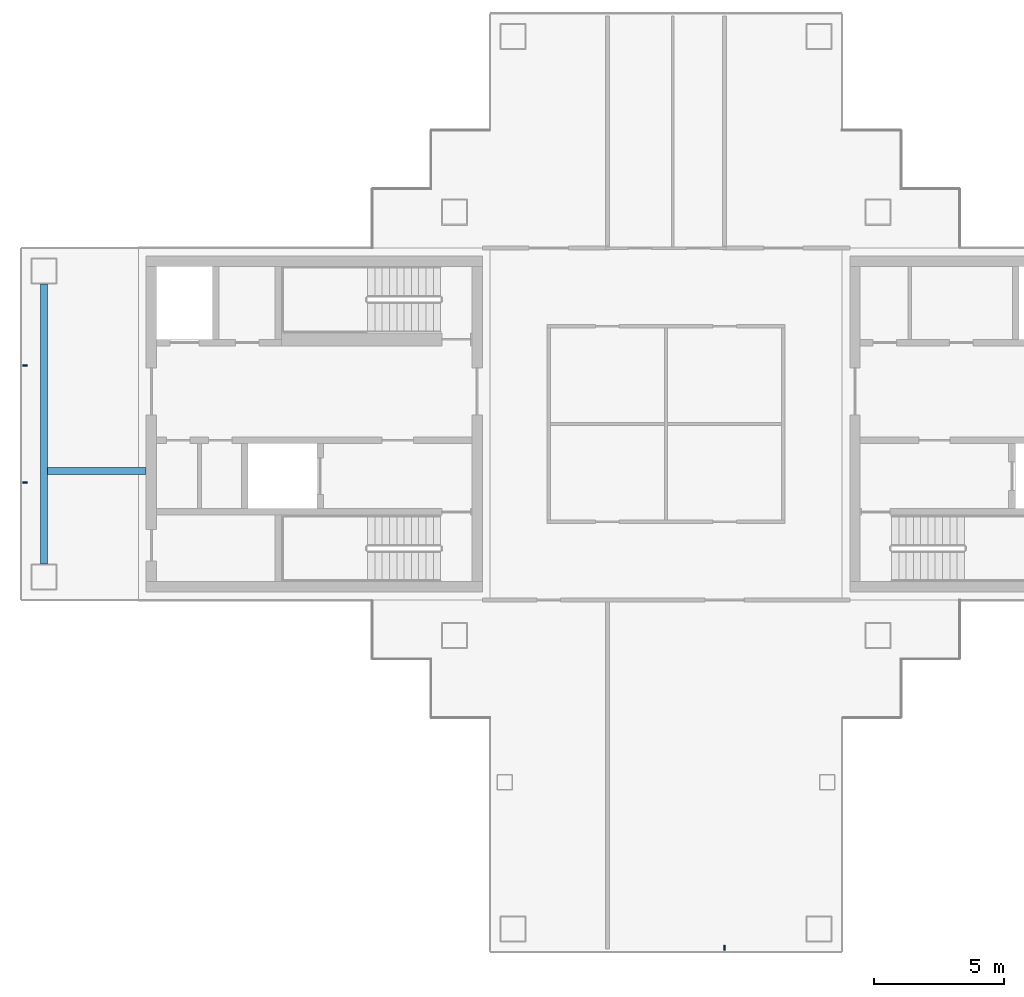
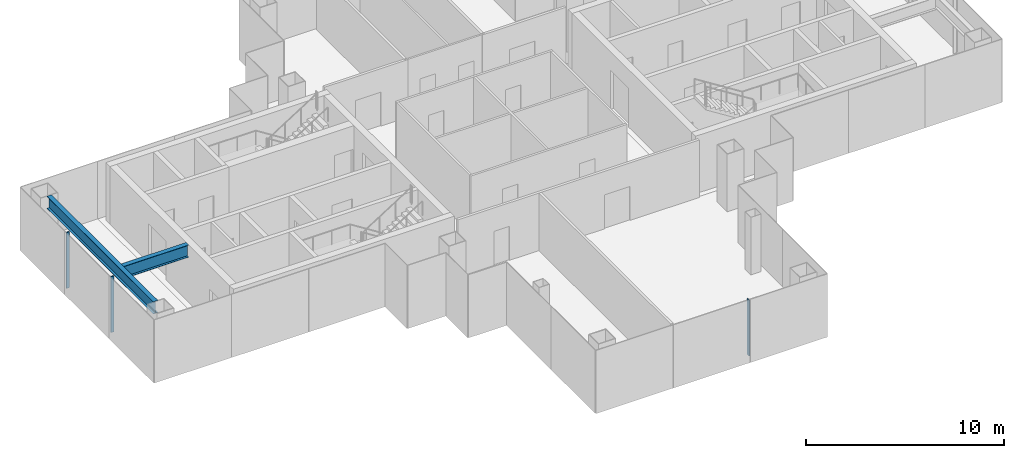
# One storey, part 3 of 16: 3 members, 2 beams, 2 elements without a shape of their own.
"""IFC4 building model written with IfcOpenShell, lengths in metres."""

from ifc_helpers import new_model, si_unit, direction, frame, origin, origin_2d, place, context, subcontext, project, spatial, rectangle, i_section, extrude, material, layer, layer_set, material_profile, profile_set, type_object, element, aggregate, save


model = new_model("IFC4")

# Units and contexts
model_context = context("Model", 3, precision=1e-05, world=origin(), true_north=direction((0.0, 1.0)))
body_context = subcontext(model_context, "Body", "Model", "MODEL_VIEW")
ifc_project = project(units=[si_unit("LENGTHUNIT", "METRE"), si_unit("AREAUNIT", "SQUARE_METRE"), si_unit("VOLUMEUNIT", "CUBIC_METRE"), si_unit("PLANEANGLEUNIT", "RADIAN"), si_unit("MASSUNIT", "GRAM", prefix="KILO")], contexts=[model_context])

# Site, building, storey
site_placement = place(None, origin())
site = spatial("IfcSite", under=ifc_project, at=site_placement, CompositionType="ELEMENT")
building_placement = place(site_placement, origin())
building = spatial("IfcBuilding", under=site, at=building_placement, Name="Shamsa Quay Exchange Towers", CompositionType="ELEMENT")
storey_placement = place(building_placement, frame((0.0, 0.0, 186.60009765625)))
storey = spatial("IfcBuildingStorey", under=building, at=storey_placement, Name="L44", CompositionType="ELEMENT", Elevation=186.60009765625)

# Curtain wall, member
ifc_material_1 = material(Name="Aluminium EN AW-6063 T6, black anodised", Category="aluminium")
ifc_layer = layer(ifc_material_1, 0.280029296875)
ifc_layer_set = layer_set([ifc_layer], Name="CW-1 UNITISED VISION GLASS")
curtain_wall_type = type_object("IfcCurtainWallType", Name="CW-1 UNITISED VISION GLASS", PredefinedType="NOTDEFINED", material=ifc_layer_set)
curtain_wall_1_placement = place(storey_placement, origin())
curtain_wall_1 = element("IfcCurtainWall", 1, at=curtain_wall_1_placement, inside=storey, type_object=curtain_wall_type, Name="CW1 T1-END-V- L44", PredefinedType="NOTDEFINED")
ifc_material_profile_1 = material_profile(ifc_material_1, rectangle(XDim=0.179931640625, YDim=0.06005859375, at=origin_2d()), Name="MU60x180")
ifc_profile_set_1 = profile_set([ifc_material_profile_1], Name="Aluminium EN AW-6063 T6, black anodised")
member_type = type_object("IfcMemberType", Name="CW1 MULLION 60x180", PredefinedType="MULLION", material=ifc_profile_set_1)
member_1_placement = place(storey_placement, frame((-31.5, -20.10009765625, 0.0), z_axis=(0.0, 0.0, 1.0), x_axis=(0.0, 1.0, 0.0)))
member_1 = element("IfcMember", 2, at=member_1_placement, type_object=member_type, Name="CW1 mullion", PredefinedType="MULLION", context=body_context, shape_type="SweptSolid", body=[
    extrude(rectangle(XDim=0.179931640625, YDim=0.06005859375, at=origin_2d()), origin(), (0.0, 0.0, 1.0), 3.449951171875),
])
aggregate(curtain_wall_1, [member_1])

# Curtain wall, members
curtain_wall_2_placement = place(storey_placement, origin())
curtain_wall_2 = element("IfcCurtainWall", 3, at=curtain_wall_2_placement, inside=storey, type_object=curtain_wall_type, Name="CW1 T1-END-U- L44", PredefinedType="NOTDEFINED")
member_2_placement = place(storey_placement, frame((-58.35009765625, 2.25, 0.0)))
member_2 = element("IfcMember", 4, at=member_2_placement, type_object=member_type, Name="CW1 mullion", PredefinedType="MULLION", context=body_context, shape_type="SweptSolid", body=[
    extrude(rectangle(XDim=0.179931640625, YDim=0.06005859375, at=origin_2d()), origin(), (0.0, 0.0, 1.0), 3.449951171875),
])
member_3_placement = place(storey_placement, frame((-58.35009765625, -2.25, 0.0)))
member_3 = element("IfcMember", 5, at=member_3_placement, type_object=member_type, Name="CW1 mullion", PredefinedType="MULLION", context=body_context, shape_type="SweptSolid", body=[
    extrude(rectangle(XDim=0.179931640625, YDim=0.06005859375, at=origin_2d()), origin(), (0.0, 0.0, 1.0), 3.449951171875),
])
aggregate(curtain_wall_2, [member_2, member_3])

# Beams
ifc_material_2 = material(Name="Steel S355", Category="steel")
ifc_material_profile_2 = material_profile(ifc_material_2, i_section(OverallWidth=0.26611328125, OverallDepth=0.7578125, WebThickness=0.013916015625, FlangeThickness=0.019287109375, at=origin_2d()), Name="W30x108")
ifc_profile_set_2 = profile_set([ifc_material_profile_2], Name="Steel S355")
beam_type = type_object("IfcBeamType", Name="End-zone beam W30x108", PredefinedType="BEAM", material=ifc_profile_set_2)
beam_1_placement = place(storey_placement, frame((-57.625, -5.375, 3.171142578125), z_axis=(0.0, 1.0, 0.0), x_axis=(-1.0, 0.0, 0.0)))
element("IfcBeam", 6, at=beam_1_placement, inside=storey, type_object=beam_type, Name="End beam T1 U- end zone L44", PredefinedType="BEAM", context=body_context, shape_type="SweptSolid", body=[
    extrude(i_section(OverallWidth=0.26611328125, OverallDepth=0.7578125, WebThickness=0.013916015625, FlangeThickness=0.019287109375, at=origin_2d()), origin(), (0.0, 0.0, 1.0), 10.75),
])
beam_2_placement = place(storey_placement, frame((-53.699951171875, -1.800048828125, 3.171142578125), z_axis=(-1.0, 0.0, 0.0), x_axis=(0.0, -1.0, 0.0)))
element("IfcBeam", 7, at=beam_2_placement, inside=storey, type_object=beam_type, Name="Spine beam T1 U- end zone L44", PredefinedType="BEAM", context=body_context, shape_type="SweptSolid", body=[
    extrude(i_section(OverallWidth=0.26611328125, OverallDepth=0.7578125, WebThickness=0.013916015625, FlangeThickness=0.019287109375, at=origin_2d()), origin(), (0.0, 0.0, 1.0), 3.7919921875),
])

save(model, "model.ifc")
